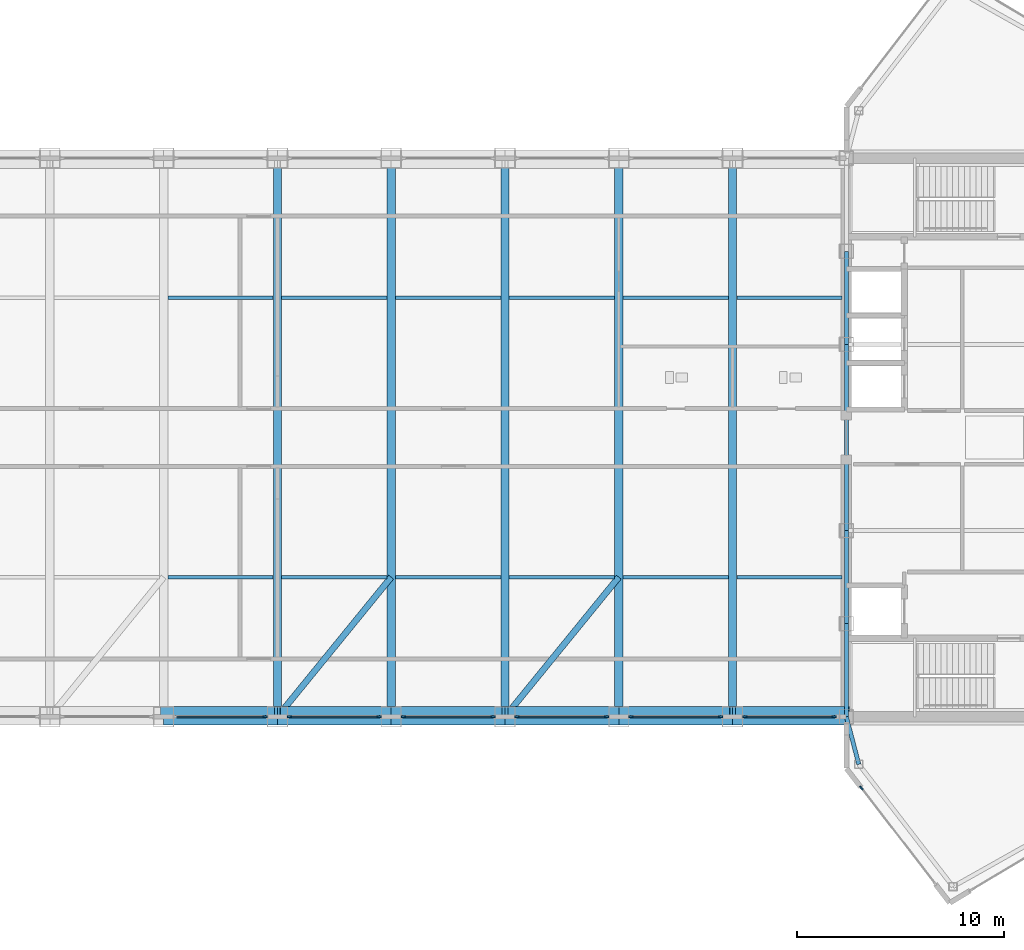
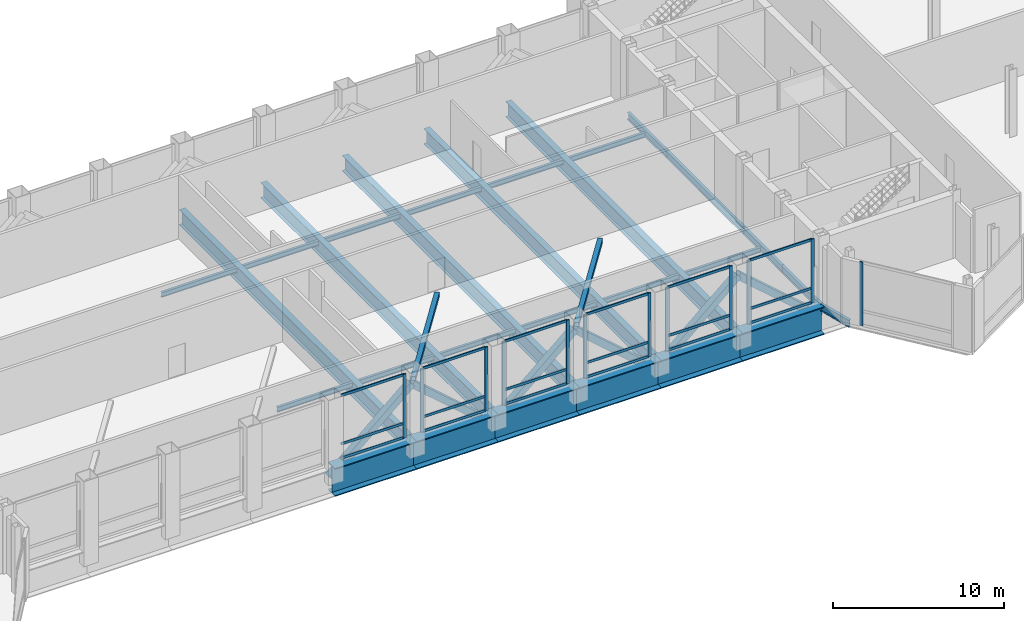
# One storey, part 13 of 29: 38 members, 28 beams, 7 elements without a shape of their own.
"""IFC4 building model written with IfcOpenShell, lengths in metres."""

from ifc_helpers import new_model, si_unit, direction, frame, origin, origin_2d, place, context, subcontext, project, spatial, rectangle, hollow_rectangle, i_section, extrude, source, transform, mapped, material, layer, layer_set, material_profile, profile_set, type_object, type_shapes, element, aggregate, save


model = new_model("IFC4")

# Units and contexts
model_context = context("Model", 3, precision=1e-05, world=origin(), true_north=direction((0.0, 1.0)))
body_context = subcontext(model_context, "Body", "Model", "MODEL_VIEW")
ifc_project = project(units=[si_unit("LENGTHUNIT", "METRE"), si_unit("AREAUNIT", "SQUARE_METRE"), si_unit("VOLUMEUNIT", "CUBIC_METRE"), si_unit("PLANEANGLEUNIT", "RADIAN"), si_unit("MASSUNIT", "GRAM", prefix="KILO")], contexts=[model_context])

# Site, building, storey
site_placement = place(None, origin())
site = spatial("IfcSite", under=ifc_project, at=site_placement, CompositionType="ELEMENT")
building_placement = place(site_placement, origin())
building = spatial("IfcBuilding", under=site, at=building_placement, Name="Seokmaru Belvedere", CompositionType="ELEMENT")
storey_placement = place(building_placement, frame((0.0, 0.0, 229.800048828125)))
storey = spatial("IfcBuildingStorey", under=building, at=storey_placement, Name="L61", CompositionType="ELEMENT", Elevation=229.800048828125)

# Beams
ifc_material_1 = material(Name="Steel SM355 (355 MPa)", Category="steel")
ifc_material_profile_1 = material_profile(ifc_material_1, i_section(OverallWidth=0.199951171875, OverallDepth=0.5, WebThickness=0.010009765625, FlangeThickness=0.01611328125, at=origin_2d()), Name="H-500x200x10x16")
ifc_profile_set_1 = profile_set([ifc_material_profile_1], Name="Steel SM355 (355 MPa)")
beam_type_1 = type_object("IfcBeamType", Name="Perimeter Spandrel Beam H-500", PredefinedType="SPANDREL", material=ifc_profile_set_1)
shared_shape_1 = source(origin(), body_context, "Body", "SweptSolid", [
    extrude(i_section(OverallWidth=0.199951171875, OverallDepth=0.5, WebThickness=0.010009765625, FlangeThickness=0.01611328125, at=origin_2d()), origin(), (0.0, 0.0, 1.0), 4.5),
])
for number, where, z_axis, x_axis, name in (
    (1, (27.5, -13.5, -0.510009765625), (0.0, 1.0, 0.0), (-1.0, 0.0, 0.0), "L61 E Portal Spine Spandrel 1"),
    (2, (27.5, -9.0, -0.510009765625), (0.0, 1.0, 0.0), (-1.0, 0.0, 0.0), "L61 E Portal Spine Spandrel 2"),
    (3, (27.5, 4.5, -0.510009765625), (0.0, 1.0, 0.0), (-1.0, 0.0, 0.0), "L61 E Portal Spine Spandrel 4"),
):
    element("IfcBeam", number, at=place(storey_placement, frame(where, z_axis=z_axis, x_axis=x_axis)), inside=storey, type_object=beam_type_1, Name=name, PredefinedType="SPANDREL", context=body_context, shape_type="MappedRepresentation", body=[
        mapped(shared_shape_1, transform((0.0, 0.0, 0.0), scale=1.0)),
    ])
shared_shape_2 = source(origin(), body_context, "Body", "SweptSolid", [
    extrude(i_section(OverallWidth=0.199951171875, OverallDepth=0.5, WebThickness=0.010009765625, FlangeThickness=0.01611328125, at=origin_2d()), origin(), (0.0, 0.0, 1.0), 9.0),
])
beam_1_placement = place(storey_placement, frame((27.5, -4.5, -0.510009765625), z_axis=(0.0, 1.0, 0.0), x_axis=(-1.0, 0.0, 0.0)))
element("IfcBeam", 4, at=beam_1_placement, inside=storey, type_object=beam_type_1, Name="L61 E Portal Spine Spandrel 3", PredefinedType="SPANDREL", context=body_context, shape_type="MappedRepresentation", body=[
    mapped(shared_shape_2, transform((0.0, 0.0, 0.0), scale=1.0)),
])
shared_shape_3 = source(origin(), body_context, "Body", "SweptSolid", [
    extrude(i_section(OverallWidth=0.199951171875, OverallDepth=0.5, WebThickness=0.010009765625, FlangeThickness=0.01611328125, at=origin_2d()), origin(), (0.0, 0.0, 1.0), 2.373046875),
])
type_shapes(beam_type_1, [shared_shape_1, shared_shape_2, shared_shape_3])
beam_2_placement = place(storey_placement, frame((28.10009765625, -15.7958984375, -0.510009765625), z_axis=(-0.252882558842, 0.967496982648, 0.0), x_axis=(-0.967496982648, -0.252882558842, 0.0)))
element("IfcBeam", 5, at=beam_2_placement, inside=storey, type_object=beam_type_1, Name="L61 E Shoulder Spine Spandrel S", PredefinedType="SPANDREL", context=body_context, shape_type="MappedRepresentation", body=[
    mapped(shared_shape_3, transform((0.0, 0.0, 0.0), scale=1.0)),
])
ifc_material_2 = material(Name="Steel HSA650 (650 MPa)", Category="steel")
ifc_material_profile_2 = material_profile(ifc_material_2, i_section(OverallWidth=0.800048828125, OverallDepth=2.0, WebThickness=0.0400390625, FlangeThickness=0.070068359375, at=origin_2d()), Name="BH-2000x800x40x70")
ifc_profile_set_2 = profile_set([ifc_material_profile_2], Name="Steel HSA650 (650 MPa)")
beam_type_2 = type_object("IfcBeamType", Name="Sky-Gate Transfer Truss Chord Girder BH-2000", PredefinedType="BEAM", material=ifc_profile_set_2)
shared_shape_4 = source(origin(), body_context, "Body", "SweptSolid", [
    extrude(i_section(OverallWidth=0.800048828125, OverallDepth=2.0, WebThickness=0.0400390625, FlangeThickness=0.070068359375, at=origin_2d()), origin(), (0.0, 0.0, 1.0), 5.5),
])
type_shapes(beam_type_2, [shared_shape_4])
for number, where, z_axis, x_axis, name in (
    (6, (-5.5, -13.5, -1.260009765625), (1.0, 0.0, 0.0), (0.0, 1.0, 0.0), "L61 Sky-Gate Transfer Truss Chord S-06"),
    (7, (0.0, -13.5, -1.260009765625), (1.0, 0.0, 0.0), (0.0, 1.0, 0.0), "L61 Sky-Gate Transfer Truss Chord S-07"),
    (8, (5.5, -13.5, -1.260009765625), (1.0, 0.0, 0.0), (0.0, 1.0, 0.0), "L61 Sky-Gate Transfer Truss Chord S-08"),
    (9, (11.0, -13.5, -1.260009765625), (1.0, 0.0, 0.0), (0.0, 1.0, 0.0), "L61 Sky-Gate Transfer Truss Chord S-09"),
    (10, (16.5, -13.5, -1.260009765625), (1.0, 0.0, 0.0), (0.0, 1.0, 0.0), "L61 Sky-Gate Transfer Truss Chord S-10"),
    (11, (22.0, -13.5, -1.260009765625), (1.0, 0.0, 0.0), (0.0, 1.0, 0.0), "L61 Sky-Gate Transfer Truss Chord S-11"),
):
    element("IfcBeam", number, at=place(storey_placement, frame(where, z_axis=z_axis, x_axis=x_axis)), inside=storey, type_object=beam_type_2, Name=name, PredefinedType="BEAM", context=body_context, shape_type="MappedRepresentation", body=[
        mapped(shared_shape_4, transform((0.0, 0.0, 0.0), scale=1.0)),
    ])
ifc_material_profile_3 = material_profile(ifc_material_1, i_section(OverallWidth=0.39990234375, OverallDepth=1.10009765625, WebThickness=0.02001953125, FlangeThickness=0.033935546875, at=origin_2d()), Name="BH-1100x400x20x34")
ifc_profile_set_3 = profile_set([ifc_material_profile_3], Name="Steel SM355 (355 MPa)")
beam_type_3 = type_object("IfcBeamType", Name="Sky-Gate Transverse Girder BH-1100", PredefinedType="BEAM", material=ifc_profile_set_3)
shared_shape_5 = source(origin(), body_context, "Body", "SweptSolid", [
    extrude(i_section(OverallWidth=0.39990234375, OverallDepth=1.10009765625, WebThickness=0.02001953125, FlangeThickness=0.033935546875, at=origin_2d()), origin(), (0.0, 0.0, 1.0), 27.0),
])
type_shapes(beam_type_3, [shared_shape_5])
for number, where, z_axis, x_axis, name in (
    (12, (0.0, -13.5, -0.81005859375), (0.0, 1.0, 0.0), (-1.0, 0.0, 0.0), "L61 Sky-Gate Transverse Girder 05"),
    (13, (5.5, -13.5, -0.81005859375), (0.0, 1.0, 0.0), (-1.0, 0.0, 0.0), "L61 Sky-Gate Transverse Girder 06"),
    (14, (11.0, -13.5, -0.81005859375), (0.0, 1.0, 0.0), (-1.0, 0.0, 0.0), "L61 Sky-Gate Transverse Girder 07"),
    (15, (16.5, -13.5, -0.81005859375), (0.0, 1.0, 0.0), (-1.0, 0.0, 0.0), "L61 Sky-Gate Transverse Girder 08"),
    (16, (22.0, -13.5, -0.81005859375), (0.0, 1.0, 0.0), (-1.0, 0.0, 0.0), "L61 Sky-Gate Transverse Girder 09"),
):
    element("IfcBeam", number, at=place(storey_placement, frame(where, z_axis=z_axis, x_axis=x_axis)), inside=storey, type_object=beam_type_3, Name=name, PredefinedType="BEAM", context=body_context, shape_type="MappedRepresentation", body=[
        mapped(shared_shape_5, transform((0.0, 0.0, 0.0), scale=1.0)),
    ])
ifc_material_profile_4 = material_profile(ifc_material_1, i_section(OverallWidth=0.175048828125, OverallDepth=0.35009765625, WebThickness=0.007080078125, FlangeThickness=0.010986328125, at=origin_2d()), Name="H-350x175x7x11")
ifc_profile_set_4 = profile_set([ifc_material_profile_4], Name="Steel SM355 (355 MPa)")
beam_type_4 = type_object("IfcBeamType", Name="Secondary Floor Joist H-300", PredefinedType="JOIST", material=ifc_profile_set_4)
shared_shape_6 = source(origin(), body_context, "Body", "SweptSolid", [
    extrude(i_section(OverallWidth=0.175048828125, OverallDepth=0.35009765625, WebThickness=0.007080078125, FlangeThickness=0.010986328125, at=origin_2d()), origin(), (0.0, 0.0, 1.0), 5.08984375),
])
type_shapes(beam_type_4, [shared_shape_6])
for number, where, z_axis, x_axis, name in (
    (17, (-5.294921875, -6.75, -0.43505859375), (1.0, 0.0, 0.0), (0.0, 1.0, 0.0), "L61 Sky-Gate Secondary Joist S-05"),
    (18, (0.205078125, -6.75, -0.43505859375), (1.0, 0.0, 0.0), (0.0, 1.0, 0.0), "L61 Sky-Gate Secondary Joist S-06"),
    (19, (5.705078125, -6.75, -0.43505859375), (1.0, 0.0, 0.0), (0.0, 1.0, 0.0), "L61 Sky-Gate Secondary Joist S-07"),
    (20, (11.205078125, -6.75, -0.43505859375), (1.0, 0.0, 0.0), (0.0, 1.0, 0.0), "L61 Sky-Gate Secondary Joist S-08"),
    (21, (16.705078125, -6.75, -0.43505859375), (1.0, 0.0, 0.0), (0.0, 1.0, 0.0), "L61 Sky-Gate Secondary Joist S-09"),
    (22, (22.205078125, -6.75, -0.43505859375), (1.0, 0.0, 0.0), (0.0, 1.0, 0.0), "L61 Sky-Gate Secondary Joist S-10"),
    (23, (-5.294921875, 6.75, -0.43505859375), (1.0, 0.0, 0.0), (0.0, 1.0, 0.0), "L61 Sky-Gate Secondary Joist N-05"),
    (24, (0.205078125, 6.75, -0.43505859375), (1.0, 0.0, 0.0), (0.0, 1.0, 0.0), "L61 Sky-Gate Secondary Joist N-06"),
    (25, (5.705078125, 6.75, -0.43505859375), (1.0, 0.0, 0.0), (0.0, 1.0, 0.0), "L61 Sky-Gate Secondary Joist N-07"),
    (26, (11.205078125, 6.75, -0.43505859375), (1.0, 0.0, 0.0), (0.0, 1.0, 0.0), "L61 Sky-Gate Secondary Joist N-08"),
    (27, (16.705078125, 6.75, -0.43505859375), (1.0, 0.0, 0.0), (0.0, 1.0, 0.0), "L61 Sky-Gate Secondary Joist N-09"),
    (28, (22.205078125, 6.75, -0.43505859375), (1.0, 0.0, 0.0), (0.0, 1.0, 0.0), "L61 Sky-Gate Secondary Joist N-10"),
):
    element("IfcBeam", number, at=place(storey_placement, frame(where, z_axis=z_axis, x_axis=x_axis)), inside=storey, type_object=beam_type_4, Name=name, PredefinedType="JOIST", context=body_context, shape_type="MappedRepresentation", body=[
        mapped(shared_shape_6, transform((0.0, 0.0, 0.0), scale=1.0)),
    ])

# Members
ifc_material_profile_5 = material_profile(ifc_material_2, hollow_rectangle(XDim=0.449951171875, YDim=0.449951171875, WallThickness=0.01806640625, at=origin_2d()), Name="HSS-450x450x18")
ifc_profile_set_5 = profile_set([ifc_material_profile_5], Name="Steel HSA650 (650 MPa)")
member_type_1 = type_object("IfcMemberType", Name="Sky-Gate Transfer Truss Web Diagonal HSS-450", PredefinedType="BRACE", material=ifc_profile_set_5)
shared_shape_7 = source(origin(), body_context, "Body", "SweptSolid", [
    extrude(hollow_rectangle(XDim=0.449951171875, YDim=0.449951171875, WallThickness=0.01806640625, at=origin_2d()), origin(), (0.0, 0.0, 1.0), 7.300048828125),
])
type_shapes(member_type_1, [shared_shape_7])
for number, where, z_axis, x_axis, name in (
    (29, (-5.5, -13.22412109375, -1.260009765625), (0.753421343899, 0.0, 0.65753804343), (0.0, 1.0, 0.0), "L61 Sky-Gate Transfer Truss Web Diagonal S-05"),
    (30, (0.0, -13.22412109375, 3.5400390625), (0.753421343899, 0.0, -0.65753804343), (0.0, 1.0, 0.0), "L61 Sky-Gate Transfer Truss Web Diagonal S-06"),
    (31, (5.5, -13.22412109375, -1.260009765625), (0.753421343899, 0.0, 0.65753804343), (0.0, 1.0, 0.0), "L61 Sky-Gate Transfer Truss Web Diagonal S-07"),
    (32, (11.0, -13.22412109375, 3.5400390625), (0.753421343899, 0.0, -0.65753804343), (0.0, 1.0, 0.0), "L61 Sky-Gate Transfer Truss Web Diagonal S-08"),
    (33, (16.5, -13.22412109375, -1.260009765625), (0.753421343899, 0.0, 0.65753804343), (0.0, 1.0, 0.0), "L61 Sky-Gate Transfer Truss Web Diagonal S-09"),
    (34, (22.0, -13.22412109375, 3.5400390625), (0.753421343899, 0.0, -0.65753804343), (0.0, 1.0, 0.0), "L61 Sky-Gate Transfer Truss Web Diagonal S-10"),
):
    element("IfcMember", number, at=place(storey_placement, frame(where, z_axis=z_axis, x_axis=x_axis)), inside=storey, type_object=member_type_1, Name=name, PredefinedType="BRACE", context=body_context, shape_type="MappedRepresentation", body=[
        mapped(shared_shape_7, transform((0.0, 0.0, 0.0), scale=1.0)),
    ])
ifc_material_profile_6 = material_profile(ifc_material_1, hollow_rectangle(XDim=0.300048828125, YDim=0.300048828125, WallThickness=0.011962890625, at=origin_2d()), Name="HSS-300x300x12")
ifc_profile_set_6 = profile_set([ifc_material_profile_6], Name="Steel SM355 (355 MPa)")
member_type_2 = type_object("IfcMemberType", Name="Sky-Gate Transfer Truss Lateral Tie HSS-300", PredefinedType="CHORD", material=ifc_profile_set_6)
shared_shape_8 = source(origin(), body_context, "Body", "SweptSolid", [
    extrude(hollow_rectangle(XDim=0.300048828125, YDim=0.300048828125, WallThickness=0.011962890625, at=origin_2d()), origin(), (0.0, 0.0, 1.0), 8.70703125),
])
type_shapes(member_type_2, [shared_shape_8])
for number, where, z_axis, x_axis, name in (
    (35, (0.0, -13.5, 3.989990234375), (0.631672951162, 0.775234985517, 0.0), (-0.775234985517, 0.631672951162, 0.0), "L61 Sky-Gate Under-Deck Wind Tie L62-3"),
    (36, (11.0, -13.5, 3.989990234375), (0.631672951162, 0.775234985517, 0.0), (-0.775234985517, 0.631672951162, 0.0), "L61 Sky-Gate Under-Deck Wind Tie L62-4"),
):
    element("IfcMember", number, at=place(storey_placement, frame(where, z_axis=z_axis, x_axis=x_axis)), inside=storey, type_object=member_type_2, Name=name, PredefinedType="CHORD", context=body_context, shape_type="MappedRepresentation", body=[
        mapped(shared_shape_8, transform((0.0, 0.0, 0.0), scale=1.0)),
    ])

# Curtain wall, member
ifc_material_3 = material(Name="Bronze Triple Insulating Glass", Category="glass")
ifc_layer = layer(ifc_material_3, 0.219970703125)
ifc_layer_set = layer_set([ifc_layer], Name="Bronze Triple Insulating Glass")
curtain_wall_type = type_object("IfcCurtainWallType", Name="Sky-Gate Bridge Panorama Curtain Wall System CW-6", PredefinedType="NOTDEFINED", material=ifc_layer_set)
curtain_wall_1_placement = place(storey_placement, origin())
curtain_wall_1 = element("IfcCurtainWall", 37, at=curtain_wall_1_placement, inside=storey, type_object=curtain_wall_type, Name="L61 Curtain Wall EF6", PredefinedType="NOTDEFINED")
ifc_material_4 = material(Name="Anodised Bronze Aluminium", Category="aluminium")
ifc_material_profile_7 = material_profile(ifc_material_4, rectangle(XDim=0.080078125, YDim=0.219970703125, at=origin_2d()), Name="CW-M-80x220")
ifc_profile_set_7 = profile_set([ifc_material_profile_7], Name="Anodised Bronze Aluminium")
member_type_3 = type_object("IfcMemberType", Name="Bronze Unitised Mullion 80x220", PredefinedType="MULLION", material=ifc_profile_set_7)
shared_shape_9 = source(origin(), body_context, "Body", "SweptSolid", [
    extrude(rectangle(XDim=0.080078125, YDim=0.219970703125, at=origin_2d()), origin(), (0.0, 0.0, 1.0), 4.5400390625),
])
type_shapes(member_type_3, [shared_shape_9])
member_1_placement = place(storey_placement, frame((28.2255859375, -16.943115234375, 0.0), z_axis=(0.0, 0.0, 1.0), x_axis=(0.792631353244, 0.609701187349, 0.0)))
member_1 = element("IfcMember", 38, at=member_1_placement, type_object=member_type_3, Name="CW:L61:EF6 Mullion 1", PredefinedType="MULLION", context=body_context, shape_type="MappedRepresentation", body=[
    mapped(shared_shape_9, transform((0.0, 0.0, 0.0), scale=1.0)),
])
aggregate(curtain_wall_1, [member_1])

curtain_wall_2_placement = place(storey_placement, origin())
curtain_wall_2 = element("IfcCurtainWall", 39, at=curtain_wall_2_placement, inside=storey, type_object=curtain_wall_type, Name="L61 Curtain Wall BR_S05", PredefinedType="NOTDEFINED")
member_2_placement = place(storey_placement, frame((-0.590087890625, -13.5, 0.0), z_axis=(0.0, 0.0, 1.0), x_axis=(0.0, 1.0, 0.0)))
member_2 = element("IfcMember", 40, at=member_2_placement, type_object=member_type_3, Name="CW:L61:BR_S05 Mullion 2", PredefinedType="MULLION", context=body_context, shape_type="MappedRepresentation", body=[
    mapped(shared_shape_9, transform((0.0, 0.0, 0.0), scale=1.0)),
])

# Curtain wall, members
curtain_wall_3_placement = place(storey_placement, origin())
curtain_wall_3 = element("IfcCurtainWall", 41, at=curtain_wall_3_placement, inside=storey, type_object=curtain_wall_type, Name="L61 Curtain Wall BR_S06", PredefinedType="NOTDEFINED")
member_3_placement = place(storey_placement, frame((0.590087890625, -13.5, 0.0), z_axis=(0.0, 0.0, 1.0), x_axis=(0.0, 1.0, 0.0)))
member_3 = element("IfcMember", 42, at=member_3_placement, type_object=member_type_3, Name="CW:L61:BR_S06 Mullion 1", PredefinedType="MULLION", context=body_context, shape_type="MappedRepresentation", body=[
    mapped(shared_shape_9, transform((0.0, 0.0, 0.0), scale=1.0)),
])
member_4_placement = place(storey_placement, frame((4.909912109375, -13.5, 0.0), z_axis=(0.0, 0.0, 1.0), x_axis=(0.0, 1.0, 0.0)))
member_4 = element("IfcMember", 43, at=member_4_placement, type_object=member_type_3, Name="CW:L61:BR_S06 Mullion 2", PredefinedType="MULLION", context=body_context, shape_type="MappedRepresentation", body=[
    mapped(shared_shape_9, transform((0.0, 0.0, 0.0), scale=1.0)),
])

curtain_wall_4_placement = place(storey_placement, origin())
curtain_wall_4 = element("IfcCurtainWall", 44, at=curtain_wall_4_placement, inside=storey, type_object=curtain_wall_type, Name="L61 Curtain Wall BR_S07", PredefinedType="NOTDEFINED")
member_5_placement = place(storey_placement, frame((6.090087890625, -13.5, 0.0), z_axis=(0.0, 0.0, 1.0), x_axis=(0.0, 1.0, 0.0)))
member_5 = element("IfcMember", 45, at=member_5_placement, type_object=member_type_3, Name="CW:L61:BR_S07 Mullion 1", PredefinedType="MULLION", context=body_context, shape_type="MappedRepresentation", body=[
    mapped(shared_shape_9, transform((0.0, 0.0, 0.0), scale=1.0)),
])
member_6_placement = place(storey_placement, frame((10.409912109375, -13.5, 0.0), z_axis=(0.0, 0.0, 1.0), x_axis=(0.0, 1.0, 0.0)))
member_6 = element("IfcMember", 46, at=member_6_placement, type_object=member_type_3, Name="CW:L61:BR_S07 Mullion 2", PredefinedType="MULLION", context=body_context, shape_type="MappedRepresentation", body=[
    mapped(shared_shape_9, transform((0.0, 0.0, 0.0), scale=1.0)),
])

curtain_wall_5_placement = place(storey_placement, origin())
curtain_wall_5 = element("IfcCurtainWall", 47, at=curtain_wall_5_placement, inside=storey, type_object=curtain_wall_type, Name="L61 Curtain Wall BR_S08", PredefinedType="NOTDEFINED")
member_7_placement = place(storey_placement, frame((11.590087890625, -13.5, 0.0), z_axis=(0.0, 0.0, 1.0), x_axis=(0.0, 1.0, 0.0)))
member_7 = element("IfcMember", 48, at=member_7_placement, type_object=member_type_3, Name="CW:L61:BR_S08 Mullion 1", PredefinedType="MULLION", context=body_context, shape_type="MappedRepresentation", body=[
    mapped(shared_shape_9, transform((0.0, 0.0, 0.0), scale=1.0)),
])
member_8_placement = place(storey_placement, frame((15.909912109375, -13.5, 0.0), z_axis=(0.0, 0.0, 1.0), x_axis=(0.0, 1.0, 0.0)))
member_8 = element("IfcMember", 49, at=member_8_placement, type_object=member_type_3, Name="CW:L61:BR_S08 Mullion 2", PredefinedType="MULLION", context=body_context, shape_type="MappedRepresentation", body=[
    mapped(shared_shape_9, transform((0.0, 0.0, 0.0), scale=1.0)),
])

curtain_wall_6_placement = place(storey_placement, origin())
curtain_wall_6 = element("IfcCurtainWall", 50, at=curtain_wall_6_placement, inside=storey, type_object=curtain_wall_type, Name="L61 Curtain Wall BR_S09", PredefinedType="NOTDEFINED")
member_9_placement = place(storey_placement, frame((17.090087890625, -13.5, 0.0), z_axis=(0.0, 0.0, 1.0), x_axis=(0.0, 1.0, 0.0)))
member_9 = element("IfcMember", 51, at=member_9_placement, type_object=member_type_3, Name="CW:L61:BR_S09 Mullion 1", PredefinedType="MULLION", context=body_context, shape_type="MappedRepresentation", body=[
    mapped(shared_shape_9, transform((0.0, 0.0, 0.0), scale=1.0)),
])
member_10_placement = place(storey_placement, frame((21.409912109375, -13.5, 0.0), z_axis=(0.0, 0.0, 1.0), x_axis=(0.0, 1.0, 0.0)))
member_10 = element("IfcMember", 52, at=member_10_placement, type_object=member_type_3, Name="CW:L61:BR_S09 Mullion 2", PredefinedType="MULLION", context=body_context, shape_type="MappedRepresentation", body=[
    mapped(shared_shape_9, transform((0.0, 0.0, 0.0), scale=1.0)),
])

curtain_wall_7_placement = place(storey_placement, origin())
curtain_wall_7 = element("IfcCurtainWall", 53, at=curtain_wall_7_placement, inside=storey, type_object=curtain_wall_type, Name="L61 Curtain Wall BR_S10", PredefinedType="NOTDEFINED")
member_11_placement = place(storey_placement, frame((22.590087890625, -13.5, 0.0), z_axis=(0.0, 0.0, 1.0), x_axis=(0.0, 1.0, 0.0)))
member_11 = element("IfcMember", 54, at=member_11_placement, type_object=member_type_3, Name="CW:L61:BR_S10 Mullion 1", PredefinedType="MULLION", context=body_context, shape_type="MappedRepresentation", body=[
    mapped(shared_shape_9, transform((0.0, 0.0, 0.0), scale=1.0)),
])
member_12_placement = place(storey_placement, frame((26.909912109375, -13.5, 0.0), z_axis=(0.0, 0.0, 1.0), x_axis=(0.0, 1.0, 0.0)))
member_12 = element("IfcMember", 55, at=member_12_placement, type_object=member_type_3, Name="CW:L61:BR_S10 Mullion 2", PredefinedType="MULLION", context=body_context, shape_type="MappedRepresentation", body=[
    mapped(shared_shape_9, transform((0.0, 0.0, 0.0), scale=1.0)),
])

# Member
ifc_material_profile_8 = material_profile(ifc_material_4, rectangle(XDim=0.074951171875, YDim=0.179931640625, at=origin_2d()), Name="CW-T-75x180")
ifc_profile_set_8 = profile_set([ifc_material_profile_8], Name="Anodised Bronze Aluminium")
member_type_4 = type_object("IfcMemberType", Name="Bronze Unitised Transom 75x180", PredefinedType="USERDEFINED", material=ifc_profile_set_8)
shared_shape_10 = source(origin(), body_context, "Body", "SweptSolid", [
    extrude(rectangle(XDim=0.074951171875, YDim=0.179931640625, at=origin_2d()), origin(), (0.0, 0.0, 1.0), 4.240234375),
])
type_shapes(member_type_4, [shared_shape_10])
member_13_placement = place(storey_placement, frame((-4.8701171875, -13.5, 0.037353515625), z_axis=(1.0, 0.0, 0.0), x_axis=(0.0, 1.0, 0.0)))
member_13 = element("IfcMember", 56, at=member_13_placement, type_object=member_type_4, Name="CW:L61:BR_S05 Continuous Transom 1", ObjectType="TRANSOM", PredefinedType="USERDEFINED", context=body_context, shape_type="MappedRepresentation", body=[
    mapped(shared_shape_10, transform((0.0, 0.0, 0.0), scale=1.0)),
])

member_14_placement = place(storey_placement, frame((-4.8701171875, -13.5, 4.50244140625), z_axis=(1.0, 0.0, 0.0), x_axis=(0.0, 1.0, 0.0)))
member_14 = element("IfcMember", 57, at=member_14_placement, type_object=member_type_4, Name="CW:L61:BR_S05 Continuous Transom 2", ObjectType="TRANSOM", PredefinedType="USERDEFINED", context=body_context, shape_type="MappedRepresentation", body=[
    mapped(shared_shape_10, transform((0.0, 0.0, 0.0), scale=1.0)),
])

member_15_placement = place(storey_placement, frame((-4.8701171875, -13.5, 1.050048828125), z_axis=(1.0, 0.0, 0.0), x_axis=(0.0, 1.0, 0.0)))
member_15 = element("IfcMember", 58, at=member_15_placement, type_object=member_type_4, Name="CW:L61:BR_S05 Spandrel Transom 1", ObjectType="TRANSOM", PredefinedType="USERDEFINED", context=body_context, shape_type="MappedRepresentation", body=[
    mapped(shared_shape_10, transform((0.0, 0.0, 0.0), scale=1.0)),
])

aggregate(curtain_wall_2, [member_2, member_13, member_14, member_15])

member_16_placement = place(storey_placement, frame((0.6298828125, -13.5, 0.037353515625), z_axis=(1.0, 0.0, 0.0), x_axis=(0.0, 1.0, 0.0)))
member_16 = element("IfcMember", 59, at=member_16_placement, type_object=member_type_4, Name="CW:L61:BR_S06 Continuous Transom 1", ObjectType="TRANSOM", PredefinedType="USERDEFINED", context=body_context, shape_type="MappedRepresentation", body=[
    mapped(shared_shape_10, transform((0.0, 0.0, 0.0), scale=1.0)),
])

member_17_placement = place(storey_placement, frame((0.6298828125, -13.5, 4.50244140625), z_axis=(1.0, 0.0, 0.0), x_axis=(0.0, 1.0, 0.0)))
member_17 = element("IfcMember", 60, at=member_17_placement, type_object=member_type_4, Name="CW:L61:BR_S06 Continuous Transom 2", ObjectType="TRANSOM", PredefinedType="USERDEFINED", context=body_context, shape_type="MappedRepresentation", body=[
    mapped(shared_shape_10, transform((0.0, 0.0, 0.0), scale=1.0)),
])

member_18_placement = place(storey_placement, frame((0.6298828125, -13.5, 1.050048828125), z_axis=(1.0, 0.0, 0.0), x_axis=(0.0, 1.0, 0.0)))
member_18 = element("IfcMember", 61, at=member_18_placement, type_object=member_type_4, Name="CW:L61:BR_S06 Spandrel Transom 1", ObjectType="TRANSOM", PredefinedType="USERDEFINED", context=body_context, shape_type="MappedRepresentation", body=[
    mapped(shared_shape_10, transform((0.0, 0.0, 0.0), scale=1.0)),
])

aggregate(curtain_wall_3, [member_3, member_4, member_16, member_17, member_18])

member_19_placement = place(storey_placement, frame((6.1298828125, -13.5, 0.037353515625), z_axis=(1.0, 0.0, 0.0), x_axis=(0.0, 1.0, 0.0)))
member_19 = element("IfcMember", 62, at=member_19_placement, type_object=member_type_4, Name="CW:L61:BR_S07 Continuous Transom 1", ObjectType="TRANSOM", PredefinedType="USERDEFINED", context=body_context, shape_type="MappedRepresentation", body=[
    mapped(shared_shape_10, transform((0.0, 0.0, 0.0), scale=1.0)),
])

member_20_placement = place(storey_placement, frame((6.1298828125, -13.5, 4.50244140625), z_axis=(1.0, 0.0, 0.0), x_axis=(0.0, 1.0, 0.0)))
member_20 = element("IfcMember", 63, at=member_20_placement, type_object=member_type_4, Name="CW:L61:BR_S07 Continuous Transom 2", ObjectType="TRANSOM", PredefinedType="USERDEFINED", context=body_context, shape_type="MappedRepresentation", body=[
    mapped(shared_shape_10, transform((0.0, 0.0, 0.0), scale=1.0)),
])

member_21_placement = place(storey_placement, frame((6.1298828125, -13.5, 1.050048828125), z_axis=(1.0, 0.0, 0.0), x_axis=(0.0, 1.0, 0.0)))
member_21 = element("IfcMember", 64, at=member_21_placement, type_object=member_type_4, Name="CW:L61:BR_S07 Spandrel Transom 1", ObjectType="TRANSOM", PredefinedType="USERDEFINED", context=body_context, shape_type="MappedRepresentation", body=[
    mapped(shared_shape_10, transform((0.0, 0.0, 0.0), scale=1.0)),
])

aggregate(curtain_wall_4, [member_5, member_6, member_19, member_20, member_21])

member_22_placement = place(storey_placement, frame((11.6298828125, -13.5, 0.037353515625), z_axis=(1.0, 0.0, 0.0), x_axis=(0.0, 1.0, 0.0)))
member_22 = element("IfcMember", 65, at=member_22_placement, type_object=member_type_4, Name="CW:L61:BR_S08 Continuous Transom 1", ObjectType="TRANSOM", PredefinedType="USERDEFINED", context=body_context, shape_type="MappedRepresentation", body=[
    mapped(shared_shape_10, transform((0.0, 0.0, 0.0), scale=1.0)),
])

member_23_placement = place(storey_placement, frame((11.6298828125, -13.5, 4.50244140625), z_axis=(1.0, 0.0, 0.0), x_axis=(0.0, 1.0, 0.0)))
member_23 = element("IfcMember", 66, at=member_23_placement, type_object=member_type_4, Name="CW:L61:BR_S08 Continuous Transom 2", ObjectType="TRANSOM", PredefinedType="USERDEFINED", context=body_context, shape_type="MappedRepresentation", body=[
    mapped(shared_shape_10, transform((0.0, 0.0, 0.0), scale=1.0)),
])

member_24_placement = place(storey_placement, frame((11.6298828125, -13.5, 1.050048828125), z_axis=(1.0, 0.0, 0.0), x_axis=(0.0, 1.0, 0.0)))
member_24 = element("IfcMember", 67, at=member_24_placement, type_object=member_type_4, Name="CW:L61:BR_S08 Spandrel Transom 1", ObjectType="TRANSOM", PredefinedType="USERDEFINED", context=body_context, shape_type="MappedRepresentation", body=[
    mapped(shared_shape_10, transform((0.0, 0.0, 0.0), scale=1.0)),
])

aggregate(curtain_wall_5, [member_7, member_8, member_22, member_23, member_24])

member_25_placement = place(storey_placement, frame((17.1298828125, -13.5, 0.037353515625), z_axis=(1.0, 0.0, 0.0), x_axis=(0.0, 1.0, 0.0)))
member_25 = element("IfcMember", 68, at=member_25_placement, type_object=member_type_4, Name="CW:L61:BR_S09 Continuous Transom 1", ObjectType="TRANSOM", PredefinedType="USERDEFINED", context=body_context, shape_type="MappedRepresentation", body=[
    mapped(shared_shape_10, transform((0.0, 0.0, 0.0), scale=1.0)),
])

member_26_placement = place(storey_placement, frame((17.1298828125, -13.5, 4.50244140625), z_axis=(1.0, 0.0, 0.0), x_axis=(0.0, 1.0, 0.0)))
member_26 = element("IfcMember", 69, at=member_26_placement, type_object=member_type_4, Name="CW:L61:BR_S09 Continuous Transom 2", ObjectType="TRANSOM", PredefinedType="USERDEFINED", context=body_context, shape_type="MappedRepresentation", body=[
    mapped(shared_shape_10, transform((0.0, 0.0, 0.0), scale=1.0)),
])

member_27_placement = place(storey_placement, frame((17.1298828125, -13.5, 1.050048828125), z_axis=(1.0, 0.0, 0.0), x_axis=(0.0, 1.0, 0.0)))
member_27 = element("IfcMember", 70, at=member_27_placement, type_object=member_type_4, Name="CW:L61:BR_S09 Spandrel Transom 1", ObjectType="TRANSOM", PredefinedType="USERDEFINED", context=body_context, shape_type="MappedRepresentation", body=[
    mapped(shared_shape_10, transform((0.0, 0.0, 0.0), scale=1.0)),
])

aggregate(curtain_wall_6, [member_9, member_10, member_25, member_26, member_27])

member_28_placement = place(storey_placement, frame((22.6298828125, -13.5, 0.037353515625), z_axis=(1.0, 0.0, 0.0), x_axis=(0.0, 1.0, 0.0)))
member_28 = element("IfcMember", 71, at=member_28_placement, type_object=member_type_4, Name="CW:L61:BR_S10 Continuous Transom 1", ObjectType="TRANSOM", PredefinedType="USERDEFINED", context=body_context, shape_type="MappedRepresentation", body=[
    mapped(shared_shape_10, transform((0.0, 0.0, 0.0), scale=1.0)),
])

member_29_placement = place(storey_placement, frame((22.6298828125, -13.5, 4.50244140625), z_axis=(1.0, 0.0, 0.0), x_axis=(0.0, 1.0, 0.0)))
member_29 = element("IfcMember", 72, at=member_29_placement, type_object=member_type_4, Name="CW:L61:BR_S10 Continuous Transom 2", ObjectType="TRANSOM", PredefinedType="USERDEFINED", context=body_context, shape_type="MappedRepresentation", body=[
    mapped(shared_shape_10, transform((0.0, 0.0, 0.0), scale=1.0)),
])

member_30_placement = place(storey_placement, frame((22.6298828125, -13.5, 1.050048828125), z_axis=(1.0, 0.0, 0.0), x_axis=(0.0, 1.0, 0.0)))
member_30 = element("IfcMember", 73, at=member_30_placement, type_object=member_type_4, Name="CW:L61:BR_S10 Spandrel Transom 1", ObjectType="TRANSOM", PredefinedType="USERDEFINED", context=body_context, shape_type="MappedRepresentation", body=[
    mapped(shared_shape_10, transform((0.0, 0.0, 0.0), scale=1.0)),
])

aggregate(curtain_wall_7, [member_11, member_12, member_28, member_29, member_30])

save(model, "model.ifc")
